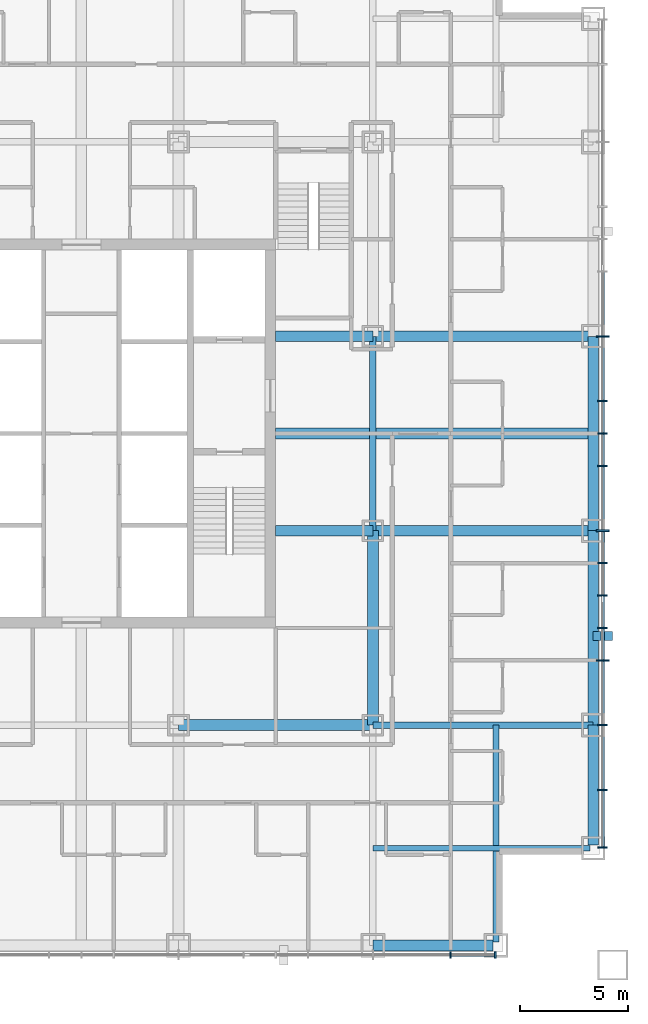
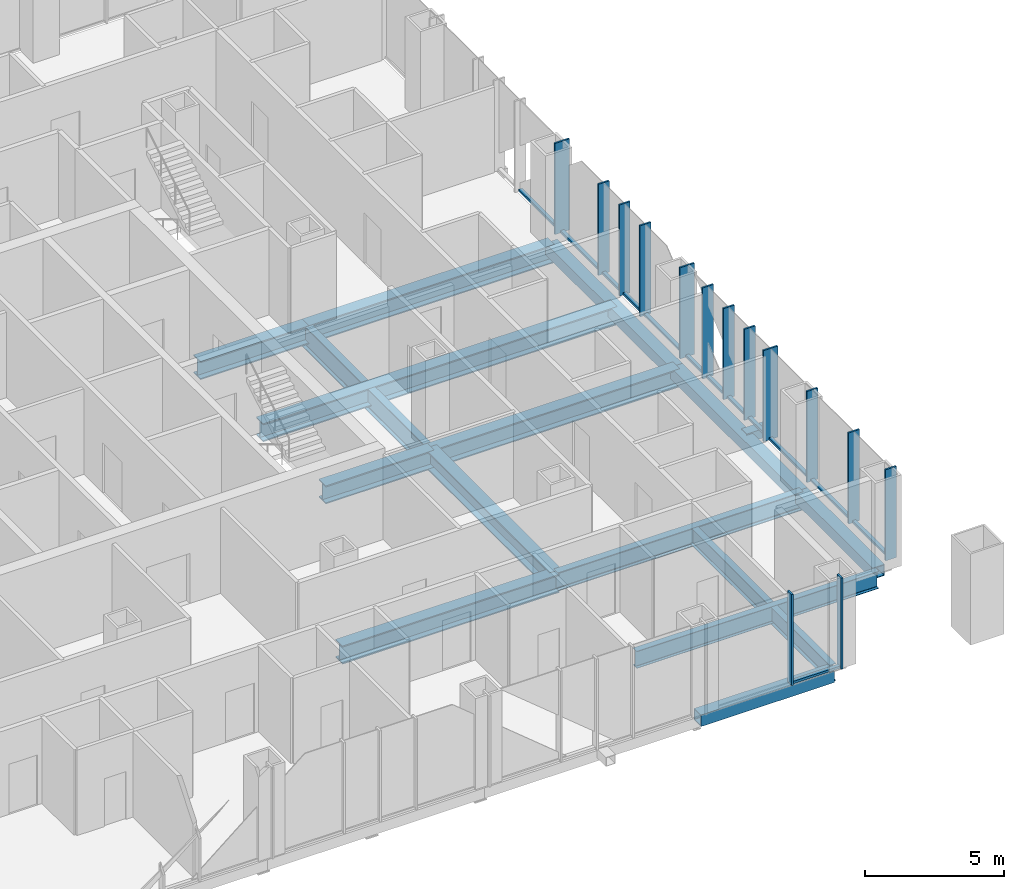
# One storey, part 4 of 18: 28 members, 15 beams, 2 elements without a shape of their own.
"""IFC4 building model written with IfcOpenShell, lengths in metres."""

from ifc_helpers import new_model, si_unit, direction, frame, origin, origin_2d, place, context, subcontext, project, spatial, rectangle, hollow_rectangle, i_section, extrude, material, layer, layer_set, material_profile, profile_set, type_object, element, aggregate, save


model = new_model("IFC4")

# Units and contexts
model_context = context("Model", 3, precision=1e-05, world=origin(), true_north=direction((0.0, 1.0)))
body_context = subcontext(model_context, "Body", "Model", "MODEL_VIEW")
ifc_project = project(units=[si_unit("LENGTHUNIT", "METRE"), si_unit("AREAUNIT", "SQUARE_METRE"), si_unit("VOLUMEUNIT", "CUBIC_METRE"), si_unit("PLANEANGLEUNIT", "RADIAN"), si_unit("MASSUNIT", "GRAM", prefix="KILO")], contexts=[model_context])

# Site, building, storey
site_placement = place(None, origin())
site = spatial("IfcSite", under=ifc_project, at=site_placement, CompositionType="ELEMENT")
building_placement = place(site_placement, origin())
building = spatial("IfcBuilding", under=site, at=building_placement, Name="Malebo Sky Hospital", CompositionType="ELEMENT")
storey_placement = place(building_placement, frame((0.0, 0.0, 112.0)))
storey = spatial("IfcBuildingStorey", under=building, at=storey_placement, Name="L26", CompositionType="ELEMENT", Elevation=112.0)

# Curtain wall, member
ifc_material_1 = material(Name="Anodised aluminium, natural silver", Category="aluminium")
ifc_layer_1 = layer(ifc_material_1, 0.25)
ifc_layer_set_1 = layer_set([ifc_layer_1], Name="WARD CURTAIN WALL NORTH AND SOUTH")
curtain_wall_type_1 = type_object("IfcCurtainWallType", Name="WARD CURTAIN WALL NORTH AND SOUTH", PredefinedType="NOTDEFINED", material=ifc_layer_set_1)
curtain_wall_1_placement = place(storey_placement, origin())
curtain_wall_1 = element("IfcCurtainWall", 1, at=curtain_wall_1_placement, inside=storey, type_object=curtain_wall_type_1, Name="NS curtain wall S", PredefinedType="NOTDEFINED")
ifc_material_profile_1 = material_profile(ifc_material_1, rectangle(XDim=0.14990234375, YDim=0.10009765625, at=origin_2d()), Name="ALUMINIUM TRANSOM 150x100")
ifc_profile_set_1 = profile_set([ifc_material_profile_1], Name="Anodised aluminium, natural silver")
member_type_1 = type_object("IfcMemberType", Name="ALUMINIUM TRANSOM 150x100", PredefinedType="USERDEFINED", material=ifc_profile_set_1)
member_1_placement = place(storey_placement, frame((79.125, 37.864990234375, 0.050048828125), z_axis=(-1.0, 0.0, 0.0), x_axis=(0.0, -1.0, 0.0)))
member_1 = element("IfcMember", 2, at=member_1_placement, type_object=member_type_1, Name="Transom 1", ObjectType="TRANSOM", PredefinedType="USERDEFINED", context=body_context, shape_type="SweptSolid", body=[
    extrude(rectangle(XDim=0.14990234375, YDim=0.10009765625, at=origin_2d()), origin(), (0.0, 0.0, 1.0), 1.987548828125),
])

# Curtain wall, members
ifc_layer_2 = layer(ifc_material_1, 0.25)
ifc_layer_set_2 = layer_set([ifc_layer_2], Name="WARD CURTAIN WALL EAST AND WEST")
curtain_wall_type_2 = type_object("IfcCurtainWallType", Name="WARD CURTAIN WALL EAST AND WEST", PredefinedType="NOTDEFINED", material=ifc_layer_set_2)
curtain_wall_2_placement = place(storey_placement, origin())
curtain_wall_2 = element("IfcCurtainWall", 3, at=curtain_wall_2_placement, inside=storey, type_object=curtain_wall_type_2, Name="EW curtain wall E", PredefinedType="NOTDEFINED")
member_2_placement = place(storey_placement, frame((84.135009765625, 69.46240234375, 0.050048828125), z_axis=(0.0, -1.0, 0.0), x_axis=(1.0, 0.0, 0.0)))
member_2 = element("IfcMember", 4, at=member_2_placement, type_object=member_type_1, Name="Transom 6", ObjectType="TRANSOM", PredefinedType="USERDEFINED", context=body_context, shape_type="SweptSolid", body=[
    extrude(rectangle(XDim=0.14990234375, YDim=0.10009765625, at=origin_2d()), origin(), (0.0, 0.0, 1.0), 2.9248046875),
])
member_3_placement = place(storey_placement, frame((84.135009765625, 66.46240234375, 0.050048828125), z_axis=(0.0, -1.0, 0.0), x_axis=(1.0, 0.0, 0.0)))
member_3 = element("IfcMember", 5, at=member_3_placement, type_object=member_type_1, Name="Transom 7", ObjectType="TRANSOM", PredefinedType="USERDEFINED", context=body_context, shape_type="SweptSolid", body=[
    extrude(rectangle(XDim=0.14990234375, YDim=0.10009765625, at=origin_2d()), origin(), (0.0, 0.0, 1.0), 2.9248046875),
])
member_4_placement = place(storey_placement, frame((84.135009765625, 63.46240234375, 0.050048828125), z_axis=(0.0, -1.0, 0.0), x_axis=(1.0, 0.0, 0.0)))
member_4 = element("IfcMember", 6, at=member_4_placement, type_object=member_type_1, Name="Transom 8", ObjectType="TRANSOM", PredefinedType="USERDEFINED", context=body_context, shape_type="SweptSolid", body=[
    extrude(rectangle(XDim=0.14990234375, YDim=0.10009765625, at=origin_2d()), origin(), (0.0, 0.0, 1.0), 1.4248046875),
])
member_5_placement = place(storey_placement, frame((84.135009765625, 61.96240234375, 0.050048828125), z_axis=(0.0, -1.0, 0.0), x_axis=(1.0, 0.0, 0.0)))
member_5 = element("IfcMember", 7, at=member_5_placement, type_object=member_type_1, Name="Transom 9", ObjectType="TRANSOM", PredefinedType="USERDEFINED", context=body_context, shape_type="SweptSolid", body=[
    extrude(rectangle(XDim=0.14990234375, YDim=0.10009765625, at=origin_2d()), origin(), (0.0, 0.0, 1.0), 1.4248046875),
])
member_6_placement = place(storey_placement, frame((84.135009765625, 60.46240234375, 0.050048828125), z_axis=(0.0, -1.0, 0.0), x_axis=(1.0, 0.0, 0.0)))
member_6 = element("IfcMember", 8, at=member_6_placement, type_object=member_type_1, Name="Transom 10", ObjectType="TRANSOM", PredefinedType="USERDEFINED", context=body_context, shape_type="SweptSolid", body=[
    extrude(rectangle(XDim=0.14990234375, YDim=0.10009765625, at=origin_2d()), origin(), (0.0, 0.0, 1.0), 2.9248046875),
])
member_7_placement = place(storey_placement, frame((84.135009765625, 57.46240234375, 0.050048828125), z_axis=(0.0, -1.0, 0.0), x_axis=(1.0, 0.0, 0.0)))
member_7 = element("IfcMember", 9, at=member_7_placement, type_object=member_type_1, Name="Transom 11", ObjectType="TRANSOM", PredefinedType="USERDEFINED", context=body_context, shape_type="SweptSolid", body=[
    extrude(rectangle(XDim=0.14990234375, YDim=0.10009765625, at=origin_2d()), origin(), (0.0, 0.0, 1.0), 1.4248046875),
])
member_8_placement = place(storey_placement, frame((84.135009765625, 55.96240234375, 0.050048828125), z_axis=(0.0, -1.0, 0.0), x_axis=(1.0, 0.0, 0.0)))
member_8 = element("IfcMember", 10, at=member_8_placement, type_object=member_type_1, Name="Transom 12", ObjectType="TRANSOM", PredefinedType="USERDEFINED", context=body_context, shape_type="SweptSolid", body=[
    extrude(rectangle(XDim=0.14990234375, YDim=0.10009765625, at=origin_2d()), origin(), (0.0, 0.0, 1.0), 1.4248046875),
])
member_9_placement = place(storey_placement, frame((84.135009765625, 54.46240234375, 0.050048828125), z_axis=(0.0, -1.0, 0.0), x_axis=(1.0, 0.0, 0.0)))
member_9 = element("IfcMember", 11, at=member_9_placement, type_object=member_type_1, Name="Transom 13", ObjectType="TRANSOM", PredefinedType="USERDEFINED", context=body_context, shape_type="SweptSolid", body=[
    extrude(rectangle(XDim=0.14990234375, YDim=0.10009765625, at=origin_2d()), origin(), (0.0, 0.0, 1.0), 1.4248046875),
])
member_10_placement = place(storey_placement, frame((84.135009765625, 52.96240234375, 0.050048828125), z_axis=(0.0, -1.0, 0.0), x_axis=(1.0, 0.0, 0.0)))
member_10 = element("IfcMember", 12, at=member_10_placement, type_object=member_type_1, Name="Transom 14", ObjectType="TRANSOM", PredefinedType="USERDEFINED", context=body_context, shape_type="SweptSolid", body=[
    extrude(rectangle(XDim=0.14990234375, YDim=0.10009765625, at=origin_2d()), origin(), (0.0, 0.0, 1.0), 1.4248046875),
])
member_11_placement = place(storey_placement, frame((84.135009765625, 51.46240234375, 0.050048828125), z_axis=(0.0, -1.0, 0.0), x_axis=(1.0, 0.0, 0.0)))
member_11 = element("IfcMember", 13, at=member_11_placement, type_object=member_type_1, Name="Transom 15", ObjectType="TRANSOM", PredefinedType="USERDEFINED", context=body_context, shape_type="SweptSolid", body=[
    extrude(rectangle(XDim=0.14990234375, YDim=0.10009765625, at=origin_2d()), origin(), (0.0, 0.0, 1.0), 2.9248046875),
])
member_12_placement = place(storey_placement, frame((84.135009765625, 48.46240234375, 0.050048828125), z_axis=(0.0, -1.0, 0.0), x_axis=(1.0, 0.0, 0.0)))
member_12 = element("IfcMember", 14, at=member_12_placement, type_object=member_type_1, Name="Transom 16", ObjectType="TRANSOM", PredefinedType="USERDEFINED", context=body_context, shape_type="SweptSolid", body=[
    extrude(rectangle(XDim=0.14990234375, YDim=0.10009765625, at=origin_2d()), origin(), (0.0, 0.0, 1.0), 2.9248046875),
])
member_13_placement = place(storey_placement, frame((84.135009765625, 45.46240234375, 0.050048828125), z_axis=(0.0, -1.0, 0.0), x_axis=(1.0, 0.0, 0.0)))
member_13 = element("IfcMember", 15, at=member_13_placement, type_object=member_type_1, Name="Transom 17", ObjectType="TRANSOM", PredefinedType="USERDEFINED", context=body_context, shape_type="SweptSolid", body=[
    extrude(rectangle(XDim=0.14990234375, YDim=0.10009765625, at=origin_2d()), origin(), (0.0, 0.0, 1.0), 2.58740234375),
])

# Member
ifc_material_2 = material(Name="Steel S355", Category="steel")
ifc_material_profile_2 = material_profile(ifc_material_2, hollow_rectangle(XDim=0.39990234375, YDim=0.39990234375, WallThickness=0.02001953125, at=origin_2d()), Name="SHS 400x20")
ifc_profile_set_2 = profile_set([ifc_material_profile_2], Name="Steel S355")
member_type_2 = type_object("IfcMemberType", Name="BRACE STRUT SHS 400x20", PredefinedType="STRUT", material=ifc_profile_set_2)
member_14_placement = place(storey_placement, frame((84.60009765625, 52.627197265625, -0.39990234375), z_axis=(-1.0, 0.0, 0.0), x_axis=(0.0, -1.0, 0.0)))
element("IfcMember", 16, at=member_14_placement, inside=storey, type_object=member_type_2, Name="Brace strut BE1 L26", PredefinedType="STRUT", context=body_context, shape_type="SweptSolid", body=[
    extrude(hollow_rectangle(XDim=0.39990234375, YDim=0.39990234375, WallThickness=0.02001953125, at=origin_2d()), origin(), (0.0, 0.0, 1.0), 0.900146484375),
])

ifc_material_profile_3 = material_profile(ifc_material_1, rectangle(XDim=0.074951171875, YDim=0.300048828125, at=origin_2d()), Name="CW1 ALUMINIUM FIN MULLION 75x300")
ifc_profile_set_3 = profile_set([ifc_material_profile_3], Name="Anodised aluminium, natural silver")
member_type_3 = type_object("IfcMemberType", Name="CW1 ALUMINIUM FIN MULLION 75x300", PredefinedType="MULLION", material=ifc_profile_set_3)
member_15_placement = place(storey_placement, frame((79.16259765625, 37.864990234375, 0.0), z_axis=(0.0, 0.0, 1.0), x_axis=(-1.0, 0.0, 0.0)))
member_15 = element("IfcMember", 17, at=member_15_placement, type_object=member_type_3, Name="Fin mullion 1", PredefinedType="MULLION", context=body_context, shape_type="SweptSolid", body=[
    extrude(rectangle(XDim=0.074951171875, YDim=0.300048828125, at=origin_2d()), origin(), (0.0, 0.0, 1.0), 4.0),
])

member_16_placement = place(storey_placement, frame((77.10009765625, 37.864990234375, 0.0), z_axis=(0.0, 0.0, 1.0), x_axis=(-1.0, 0.0, 0.0)))
member_16 = element("IfcMember", 18, at=member_16_placement, type_object=member_type_3, Name="Fin mullion 2", PredefinedType="MULLION", context=body_context, shape_type="SweptSolid", body=[
    extrude(rectangle(XDim=0.074951171875, YDim=0.300048828125, at=origin_2d()), origin(), (0.0, 0.0, 1.0), 4.0),
])

aggregate(curtain_wall_1, [member_15, member_16, member_1])

ifc_material_profile_4 = material_profile(ifc_material_1, rectangle(XDim=0.074951171875, YDim=0.449951171875, at=origin_2d()), Name="CW2 ALUMINIUM FIN MULLION 75x450")
ifc_profile_set_4 = profile_set([ifc_material_profile_4], Name="Anodised aluminium, natural silver")
member_type_4 = type_object("IfcMemberType", Name="CW2 ALUMINIUM FIN MULLION 75x450", PredefinedType="MULLION", material=ifc_profile_set_4)
member_17_placement = place(storey_placement, frame((84.135009765625, 63.5, 0.0), z_axis=(0.0, 0.0, 1.0), x_axis=(0.0, -1.0, 0.0)))
member_17 = element("IfcMember", 19, at=member_17_placement, type_object=member_type_4, Name="Fin mullion 8", PredefinedType="MULLION", context=body_context, shape_type="SweptSolid", body=[
    extrude(rectangle(XDim=0.074951171875, YDim=0.449951171875, at=origin_2d()), origin(), (0.0, 0.0, 1.0), 4.0),
])

member_18_placement = place(storey_placement, frame((84.135009765625, 62.0, 0.0), z_axis=(0.0, 0.0, 1.0), x_axis=(0.0, -1.0, 0.0)))
member_18 = element("IfcMember", 20, at=member_18_placement, type_object=member_type_4, Name="Fin mullion 9", PredefinedType="MULLION", context=body_context, shape_type="SweptSolid", body=[
    extrude(rectangle(XDim=0.074951171875, YDim=0.449951171875, at=origin_2d()), origin(), (0.0, 0.0, 1.0), 4.0),
])

member_19_placement = place(storey_placement, frame((84.135009765625, 60.5, 0.0), z_axis=(0.0, 0.0, 1.0), x_axis=(0.0, -1.0, 0.0)))
member_19 = element("IfcMember", 21, at=member_19_placement, type_object=member_type_4, Name="Fin mullion 10", PredefinedType="MULLION", context=body_context, shape_type="SweptSolid", body=[
    extrude(rectangle(XDim=0.074951171875, YDim=0.449951171875, at=origin_2d()), origin(), (0.0, 0.0, 1.0), 4.0),
])

member_20_placement = place(storey_placement, frame((84.135009765625, 56.0, 0.0), z_axis=(0.0, 0.0, 1.0), x_axis=(0.0, -1.0, 0.0)))
member_20 = element("IfcMember", 22, at=member_20_placement, type_object=member_type_4, Name="Fin mullion 12", PredefinedType="MULLION", context=body_context, shape_type="SweptSolid", body=[
    extrude(rectangle(XDim=0.074951171875, YDim=0.449951171875, at=origin_2d()), origin(), (0.0, 0.0, 1.0), 4.0),
])

member_21_placement = place(storey_placement, frame((84.135009765625, 54.5, 0.0), z_axis=(0.0, 0.0, 1.0), x_axis=(0.0, -1.0, 0.0)))
member_21 = element("IfcMember", 23, at=member_21_placement, type_object=member_type_4, Name="Fin mullion 13", PredefinedType="MULLION", context=body_context, shape_type="SweptSolid", body=[
    extrude(rectangle(XDim=0.074951171875, YDim=0.449951171875, at=origin_2d()), origin(), (0.0, 0.0, 1.0), 4.0),
])

member_22_placement = place(storey_placement, frame((84.135009765625, 53.0, 0.0), z_axis=(0.0, 0.0, 1.0), x_axis=(0.0, -1.0, 0.0)))
member_22 = element("IfcMember", 24, at=member_22_placement, type_object=member_type_4, Name="Fin mullion 14", PredefinedType="MULLION", context=body_context, shape_type="SweptSolid", body=[
    extrude(rectangle(XDim=0.074951171875, YDim=0.449951171875, at=origin_2d()), origin(), (0.0, 0.0, 1.0), 4.0),
])

member_23_placement = place(storey_placement, frame((84.135009765625, 48.5, 0.0), z_axis=(0.0, 0.0, 1.0), x_axis=(0.0, -1.0, 0.0)))
member_23 = element("IfcMember", 25, at=member_23_placement, type_object=member_type_4, Name="Fin mullion 16", PredefinedType="MULLION", context=body_context, shape_type="SweptSolid", body=[
    extrude(rectangle(XDim=0.074951171875, YDim=0.449951171875, at=origin_2d()), origin(), (0.0, 0.0, 1.0), 4.0),
])

member_24_placement = place(storey_placement, frame((84.135009765625, 45.5, 0.0), z_axis=(0.0, 0.0, 1.0), x_axis=(0.0, -1.0, 0.0)))
member_24 = element("IfcMember", 26, at=member_24_placement, type_object=member_type_4, Name="Fin mullion 17", PredefinedType="MULLION", context=body_context, shape_type="SweptSolid", body=[
    extrude(rectangle(XDim=0.074951171875, YDim=0.449951171875, at=origin_2d()), origin(), (0.0, 0.0, 1.0), 4.0),
])

member_25_placement = place(storey_placement, frame((84.135009765625, 42.83740234375, 0.0), z_axis=(0.0, 0.0, 1.0), x_axis=(0.0, -1.0, 0.0)))
member_25 = element("IfcMember", 27, at=member_25_placement, type_object=member_type_4, Name="Fin mullion 18", PredefinedType="MULLION", context=body_context, shape_type="SweptSolid", body=[
    extrude(rectangle(XDim=0.074951171875, YDim=0.449951171875, at=origin_2d()), origin(), (0.0, 0.0, 1.0), 4.0),
])

ifc_material_profile_5 = material_profile(ifc_material_1, rectangle(XDim=0.074951171875, YDim=0.60009765625, at=origin_2d()), Name="CW2 ALUMINIUM FIN MULLION 75x600")
ifc_profile_set_5 = profile_set([ifc_material_profile_5], Name="Anodised aluminium, natural silver")
member_type_5 = type_object("IfcMemberType", Name="CW2 ALUMINIUM FIN MULLION 75x600", PredefinedType="MULLION", material=ifc_profile_set_5)
member_26_placement = place(storey_placement, frame((84.135009765625, 66.5, 0.0), z_axis=(0.0, 0.0, 1.0), x_axis=(0.0, -1.0, 0.0)))
member_26 = element("IfcMember", 28, at=member_26_placement, type_object=member_type_5, Name="Fin mullion 7", PredefinedType="MULLION", context=body_context, shape_type="SweptSolid", body=[
    extrude(rectangle(XDim=0.074951171875, YDim=0.60009765625, at=origin_2d()), origin(), (0.0, 0.0, 1.0), 4.0),
])

member_27_placement = place(storey_placement, frame((84.135009765625, 57.5, 0.0), z_axis=(0.0, 0.0, 1.0), x_axis=(0.0, -1.0, 0.0)))
member_27 = element("IfcMember", 29, at=member_27_placement, type_object=member_type_5, Name="Fin mullion 11", PredefinedType="MULLION", context=body_context, shape_type="SweptSolid", body=[
    extrude(rectangle(XDim=0.074951171875, YDim=0.60009765625, at=origin_2d()), origin(), (0.0, 0.0, 1.0), 4.0),
])

member_28_placement = place(storey_placement, frame((84.135009765625, 51.5, 0.0), z_axis=(0.0, 0.0, 1.0), x_axis=(0.0, -1.0, 0.0)))
member_28 = element("IfcMember", 30, at=member_28_placement, type_object=member_type_5, Name="Fin mullion 15", PredefinedType="MULLION", context=body_context, shape_type="SweptSolid", body=[
    extrude(rectangle(XDim=0.074951171875, YDim=0.60009765625, at=origin_2d()), origin(), (0.0, 0.0, 1.0), 4.0),
])

aggregate(curtain_wall_2, [member_26, member_17, member_18, member_19, member_27, member_20, member_21, member_22, member_28, member_23, member_24, member_25, member_2, member_3, member_4, member_5, member_6, member_7, member_8, member_9, member_10, member_11, member_12, member_13])

# Beams
ifc_material_3 = material(Name="Steel S460", Category="steel")
ifc_material_profile_6 = material_profile(ifc_material_3, hollow_rectangle(XDim=0.5, YDim=0.5, WallThickness=0.030029296875, at=origin_2d()), Name="BOX 500x500x30")
ifc_profile_set_6 = profile_set([ifc_material_profile_6], Name="Steel S460")
beam_type_1 = type_object("IfcBeamType", Name="EDGE BEAM BOX 500x500x30", PredefinedType="BEAM", material=ifc_profile_set_6)
beam_1_placement = place(storey_placement, frame((83.699951171875, 42.949951171875, -0.5), z_axis=(0.0, 1.0, 0.0), x_axis=(-1.0, 0.0, 0.0)))
element("IfcBeam", 31, at=beam_1_placement, inside=storey, type_object=beam_type_1, Name="Beam 029 L26", PredefinedType="BEAM", context=body_context, shape_type="SweptSolid", body=[
    extrude(hollow_rectangle(XDim=0.5, YDim=0.5, WallThickness=0.030029296875, at=origin_2d()), origin(), (0.0, 0.0, 1.0), 5.550048828125),
])
for number, where, z_axis, x_axis, name in (
    (32, (83.699951171875, 48.5, -0.5), (0.0, 1.0, 0.0), (-1.0, 0.0, 0.0), "Beam 030 L26"),
    (33, (83.699951171875, 57.5, -0.5), (0.0, 1.0, 0.0), (-1.0, 0.0, 0.0), "Beam 031 L26"),
):
    element("IfcBeam", number, at=place(storey_placement, frame(where, z_axis=z_axis, x_axis=x_axis)), inside=storey, type_object=beam_type_1, Name=name, PredefinedType="BEAM", context=body_context, shape_type="SweptSolid", body=[
        extrude(hollow_rectangle(XDim=0.5, YDim=0.5, WallThickness=0.030029296875, at=origin_2d()), origin(), (0.0, 0.0, 1.0), 9.0),
    ])
beam_2_placement = place(storey_placement, frame((73.5, 38.300048828125, -0.5), z_axis=(1.0, 0.0, 0.0), x_axis=(0.0, 1.0, 0.0)))
element("IfcBeam", 34, at=beam_2_placement, inside=storey, type_object=beam_type_1, Name="Beam 038 L26", PredefinedType="BEAM", context=body_context, shape_type="SweptSolid", body=[
    extrude(hollow_rectangle(XDim=0.5, YDim=0.5, WallThickness=0.030029296875, at=origin_2d()), origin(), (0.0, 0.0, 1.0), 5.550048828125),
])
ifc_material_profile_7 = material_profile(ifc_material_2, i_section(OverallWidth=0.262939453125, OverallDepth=0.7529296875, WebThickness=0.011474609375, FlangeThickness=0.01708984375, FilletRadius=0.01708984375, at=origin_2d()), Name="IPE 750x137")
ifc_profile_set_7 = profile_set([ifc_material_profile_7], Name="Steel S355")
beam_type_2 = type_object("IfcBeamType", Name="FLOOR BEAM IPE 750x137", PredefinedType="BEAM", material=ifc_profile_set_7)
for number, where, z_axis, x_axis, name in (
    (35, (79.199951171875, 38.449951171875, -0.62646484375), (0.0, 1.0, 0.0), (-1.0, 0.0, 0.0), "Beam 027 L26"),
    (36, (73.5, 42.800048828125, -0.62646484375), (1.0, 0.0, 0.0), (0.0, 1.0, 0.0), "Beam 040 L26"),
):
    element("IfcBeam", number, at=place(storey_placement, frame(where, z_axis=z_axis, x_axis=x_axis)), inside=storey, type_object=beam_type_2, Name=name, PredefinedType="BEAM", context=body_context, shape_type="SweptSolid", body=[
        extrude(i_section(OverallWidth=0.262939453125, OverallDepth=0.7529296875, WebThickness=0.011474609375, FlangeThickness=0.01708984375, FilletRadius=0.01708984375, at=origin_2d()), origin(), (0.0, 0.0, 1.0), 10.050048828125),
    ])
ifc_material_profile_8 = material_profile(ifc_material_2, i_section(OverallWidth=0.5, OverallDepth=0.800048828125, WebThickness=0.030029296875, FlangeThickness=0.050048828125, at=origin_2d()), Name="PG 800x500x30x50")
ifc_profile_set_8 = profile_set([ifc_material_profile_8], Name="Steel S355")
beam_type_3 = type_object("IfcBeamType", Name="FLOOR BEAM PG 800x500x30x50", PredefinedType="BEAM", material=ifc_profile_set_8)
for number, where, z_axis, x_axis, name in (
    (37, (73.5, 48.5, -0.64990234375), (0.0, 1.0, 0.0), (-1.0, 0.0, 0.0), "Beam 023 L26"),
    (38, (64.5, 48.5, -0.64990234375), (1.0, 0.0, 0.0), (0.0, 1.0, 0.0), "Beam 044 L26"),
):
    element("IfcBeam", number, at=place(storey_placement, frame(where, z_axis=z_axis, x_axis=x_axis)), inside=storey, type_object=beam_type_3, Name=name, PredefinedType="BEAM", context=body_context, shape_type="SweptSolid", body=[
        extrude(i_section(OverallWidth=0.5, OverallDepth=0.800048828125, WebThickness=0.030029296875, FlangeThickness=0.050048828125, at=origin_2d()), origin(), (0.0, 0.0, 1.0), 9.0),
    ])
beam_3_placement = place(storey_placement, frame((69.0, 57.5, -0.64990234375), z_axis=(1.0, 0.0, 0.0), x_axis=(0.0, 1.0, 0.0)))
element("IfcBeam", 39, at=beam_3_placement, inside=storey, type_object=beam_type_3, Name="Beam 048 L26", PredefinedType="BEAM", context=body_context, shape_type="SweptSolid", body=[
    extrude(i_section(OverallWidth=0.5, OverallDepth=0.800048828125, WebThickness=0.030029296875, FlangeThickness=0.050048828125, at=origin_2d()), origin(), (0.0, 0.0, 1.0), 4.5),
])
beam_4_placement = place(storey_placement, frame((73.5, 57.5, -0.64990234375), z_axis=(1.0, 0.0, 0.0), x_axis=(0.0, 1.0, 0.0)))
element("IfcBeam", 40, at=beam_4_placement, inside=storey, type_object=beam_type_3, Name="Beam 049 L26", PredefinedType="BEAM", context=body_context, shape_type="SweptSolid", body=[
    extrude(i_section(OverallWidth=0.5, OverallDepth=0.800048828125, WebThickness=0.030029296875, FlangeThickness=0.050048828125, at=origin_2d()), origin(), (0.0, 0.0, 1.0), 10.199951171875),
])
beam_5_placement = place(storey_placement, frame((69.0, 62.0, -0.64990234375), z_axis=(1.0, 0.0, 0.0), x_axis=(0.0, 1.0, 0.0)))
element("IfcBeam", 41, at=beam_5_placement, inside=storey, type_object=beam_type_3, Name="Beam 051 L26", PredefinedType="BEAM", context=body_context, shape_type="SweptSolid", body=[
    extrude(i_section(OverallWidth=0.5, OverallDepth=0.800048828125, WebThickness=0.030029296875, FlangeThickness=0.050048828125, at=origin_2d()), origin(), (0.0, 0.0, 1.0), 14.699951171875),
])
beam_6_placement = place(storey_placement, frame((69.0, 66.5, -0.64990234375), z_axis=(1.0, 0.0, 0.0), x_axis=(0.0, 1.0, 0.0)))
element("IfcBeam", 42, at=beam_6_placement, inside=storey, type_object=beam_type_3, Name="Beam 054 L26", PredefinedType="BEAM", context=body_context, shape_type="SweptSolid", body=[
    extrude(i_section(OverallWidth=0.5, OverallDepth=0.800048828125, WebThickness=0.030029296875, FlangeThickness=0.050048828125, at=origin_2d()), origin(), (0.0, 0.0, 1.0), 4.5),
])
beam_7_placement = place(storey_placement, frame((73.5, 66.5, -0.64990234375), z_axis=(1.0, 0.0, 0.0), x_axis=(0.0, 1.0, 0.0)))
element("IfcBeam", 43, at=beam_7_placement, inside=storey, type_object=beam_type_3, Name="Beam 055 L26", PredefinedType="BEAM", context=body_context, shape_type="SweptSolid", body=[
    extrude(i_section(OverallWidth=0.5, OverallDepth=0.800048828125, WebThickness=0.030029296875, FlangeThickness=0.050048828125, at=origin_2d()), origin(), (0.0, 0.0, 1.0), 10.199951171875),
])
ifc_material_profile_9 = material_profile(ifc_material_2, i_section(OverallWidth=0.300048828125, OverallDepth=0.800048828125, WebThickness=0.017578125, FlangeThickness=0.032958984375, FilletRadius=0.030029296875, at=origin_2d()), Name="HEB 800")
ifc_profile_set_9 = profile_set([ifc_material_profile_9], Name="Steel S355")
beam_type_4 = type_object("IfcBeamType", Name="FLOOR GIRDER HEB 800", PredefinedType="BEAM", material=ifc_profile_set_9)
beam_8_placement = place(storey_placement, frame((73.5, 48.5, -0.64990234375), z_axis=(1.0, 0.0, 0.0), x_axis=(0.0, 1.0, 0.0)))
element("IfcBeam", 44, at=beam_8_placement, inside=storey, type_object=beam_type_4, Name="Beam 045 L26", PredefinedType="BEAM", context=body_context, shape_type="SweptSolid", body=[
    extrude(i_section(OverallWidth=0.300048828125, OverallDepth=0.800048828125, WebThickness=0.017578125, FlangeThickness=0.032958984375, FilletRadius=0.030029296875, at=origin_2d()), origin(), (0.0, 0.0, 1.0), 10.199951171875),
])
ifc_material_profile_10 = material_profile(ifc_material_2, i_section(OverallWidth=0.300048828125, OverallDepth=1.0, WebThickness=0.01904296875, FlangeThickness=0.035888671875, FilletRadius=0.030029296875, at=origin_2d()), Name="HEB 1000")
ifc_profile_set_10 = profile_set([ifc_material_profile_10], Name="Steel S355")
beam_type_5 = type_object("IfcBeamType", Name="RING GIRDER HEB 1000", PredefinedType="BEAM", material=ifc_profile_set_10)
beam_9_placement = place(storey_placement, frame((73.5, 57.5, -0.75), z_axis=(0.0, 1.0, 0.0), x_axis=(-1.0, 0.0, 0.0)))
element("IfcBeam", 45, at=beam_9_placement, inside=storey, type_object=beam_type_5, Name="Beam 024 L26", PredefinedType="BEAM", context=body_context, shape_type="SweptSolid", body=[
    extrude(i_section(OverallWidth=0.300048828125, OverallDepth=1.0, WebThickness=0.01904296875, FlangeThickness=0.035888671875, FilletRadius=0.030029296875, at=origin_2d()), origin(), (0.0, 0.0, 1.0), 9.0),
])

save(model, "model.ifc")
